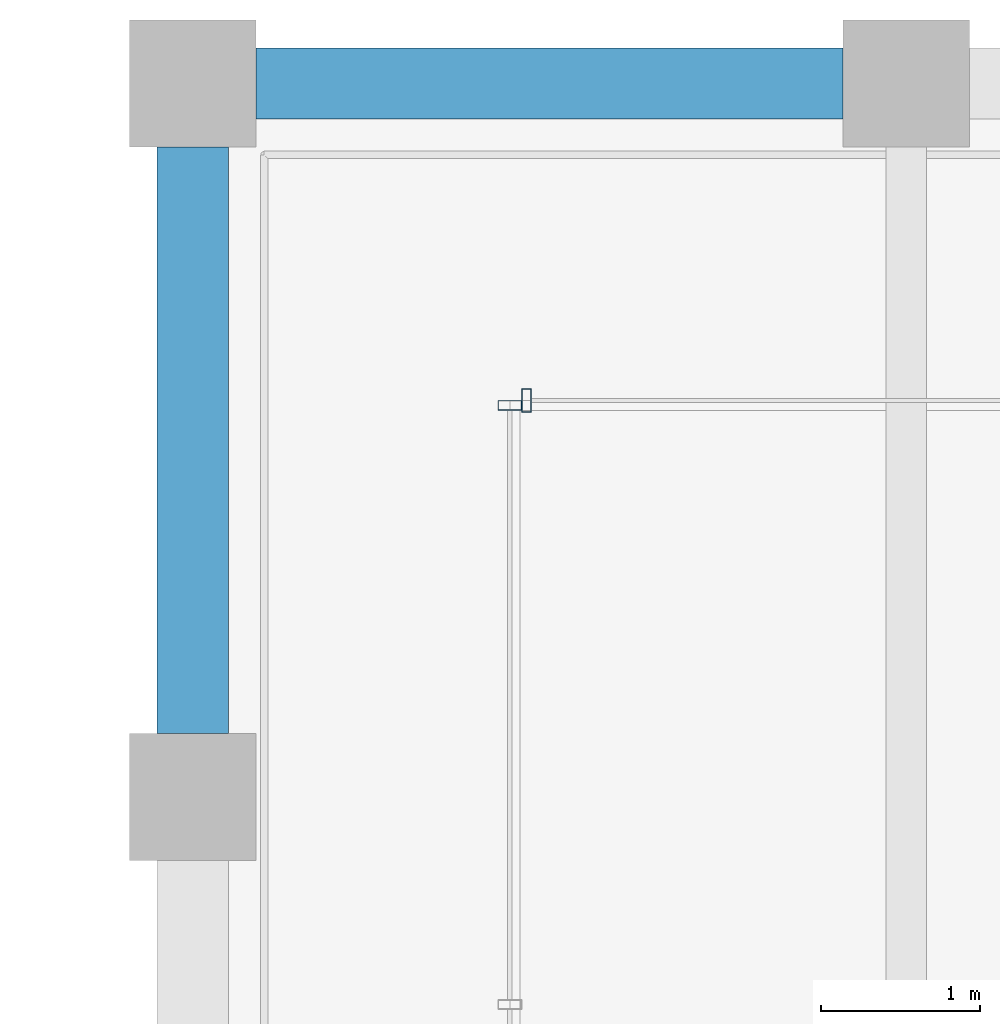
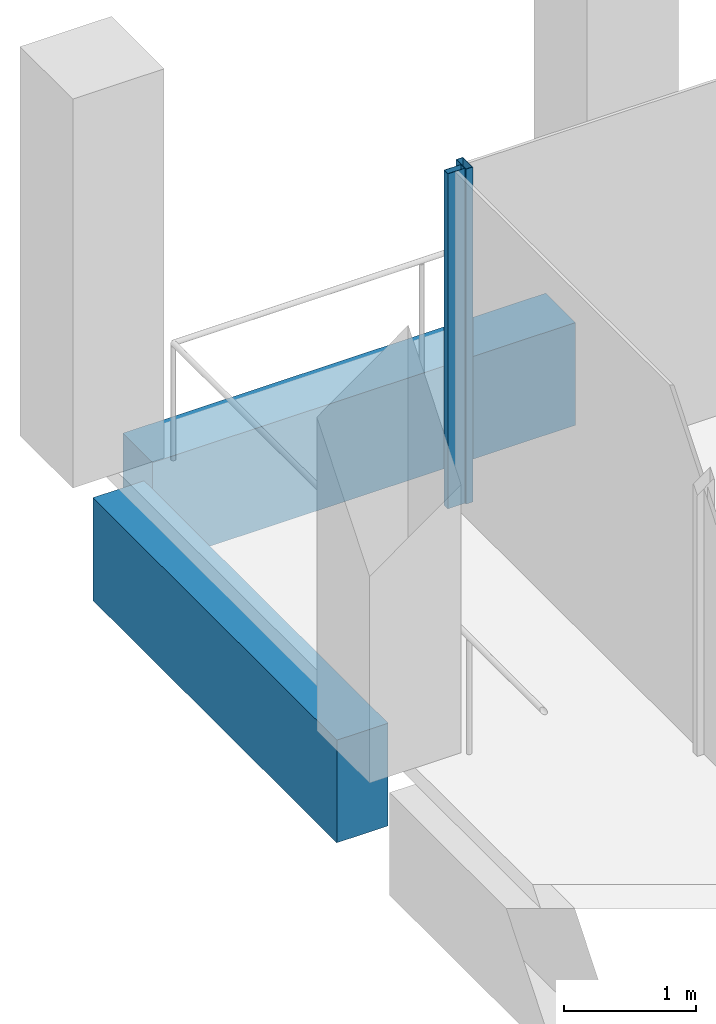
# One storey, part 21 of 40: 2 beams, 2 members, 2 elements without a shape of their own.
"""IFC4 building model written with IfcOpenShell, lengths in metres."""

from ifc_helpers import new_model, si_unit, direction, frame, origin, origin_2d, place, context, subcontext, project, spatial, rectangle, hollow_rectangle, extrude, material, material_profile, profile_set, type_object, element, aggregate, save


model = new_model("IFC4")

# Units and contexts
model_context = context("Model", 3, precision=1e-05, world=origin(), true_north=direction((0.0, 1.0)))
body_context = subcontext(model_context, "Body", "Model", "MODEL_VIEW")
ifc_project = project(units=[si_unit("LENGTHUNIT", "METRE"), si_unit("AREAUNIT", "SQUARE_METRE"), si_unit("VOLUMEUNIT", "CUBIC_METRE"), si_unit("PLANEANGLEUNIT", "RADIAN"), si_unit("MASSUNIT", "GRAM", prefix="KILO")], contexts=[model_context])

# Site, building, storey
site_placement = place(None, origin())
site = spatial("IfcSite", under=ifc_project, at=site_placement, CompositionType="ELEMENT")
building_placement = place(site_placement, origin())
building = spatial("IfcBuilding", under=site, at=building_placement, Name="Altepetl Exchange Towers", CompositionType="ELEMENT")
storey_placement = place(building_placement, frame((0.0, 0.0, 199.199951171875)))
storey = spatial("IfcBuildingStorey", under=building, at=storey_placement, Name="L50", CompositionType="ELEMENT", Elevation=199.199951171875)

# Curtain wall, member
ifc_material_1 = material(Name="Aluminium 6063-T6 glazing", Category="aluminium")
curtain_wall_type = type_object("IfcCurtainWallType", Name="Loggia glazing system", PredefinedType="NOTDEFINED", material=ifc_material_1)
curtain_wall_1_placement = place(storey_placement, origin())
curtain_wall_1 = element("IfcCurtainWall", 1, at=curtain_wall_1_placement, inside=storey, type_object=curtain_wall_type, Name="CW1 run", PredefinedType="NOTDEFINED")
ifc_material_2 = material(Name="Aluminium 6063-T6", Category="aluminium")
ifc_material_profile_1 = material_profile(ifc_material_2, hollow_rectangle(XDim=0.06005859375, YDim=0.14990234375, WallThickness=0.0029296875, at=origin_2d()), Name="Mullion 60x150 aluminium")
ifc_profile_set_1 = profile_set([ifc_material_profile_1], Name="Aluminium 6063-T6")
member_type = type_object("IfcMemberType", Name="Mullion 60x150 aluminium", PredefinedType="MULLION", material=ifc_profile_set_1)
member_1_placement = place(storey_placement, frame((42.60498046875, 70.0, 0.0), z_axis=(0.0, 0.0, 1.0), x_axis=(-1.0, 0.0, 0.0)))
member_1 = element("IfcMember", 2, at=member_1_placement, type_object=member_type, Name="MU1 mullion", PredefinedType="MULLION", context=body_context, shape_type="SweptSolid", body=[
    extrude(hollow_rectangle(XDim=0.06005859375, YDim=0.14990234375, WallThickness=0.0029296875, at=origin_2d()), origin(), (0.0, 0.0, 1.0), 3.10009765625),
])
aggregate(curtain_wall_1, [member_1])

curtain_wall_2_placement = place(storey_placement, origin())
curtain_wall_2 = element("IfcCurtainWall", 3, at=curtain_wall_2_placement, inside=storey, type_object=curtain_wall_type, Name="CW1 run", PredefinedType="NOTDEFINED")
member_2_placement = place(storey_placement, frame((42.5, 69.969970703125, 0.0), z_axis=(0.0, 0.0, 1.0), x_axis=(0.0, -1.0, 0.0)))
member_2 = element("IfcMember", 4, at=member_2_placement, type_object=member_type, Name="MU1 mullion", PredefinedType="MULLION", context=body_context, shape_type="SweptSolid", body=[
    extrude(hollow_rectangle(XDim=0.06005859375, YDim=0.14990234375, WallThickness=0.0029296875, at=origin_2d()), origin(), (0.0, 0.0, 1.0), 3.10009765625),
])
aggregate(curtain_wall_2, [member_2])

# Beams
ifc_material_3 = material(Name="Concrete C50/60 precast with cantera rosa facing", Category="concrete")
ifc_material_profile_2 = material_profile(ifc_material_3, rectangle(XDim=0.449951171875, YDim=0.949951171875, at=origin_2d()), Name="450 x 950")
ifc_profile_set_2 = profile_set([ifc_material_profile_2], Name="Concrete C50/60 precast with cantera rosa facing")
beam_type_1 = type_object("IfcBeamType", Name="Spandrel beam 450x950 cantera rosa", PredefinedType="SPANDREL", material=ifc_profile_set_2)
beam_1_placement = place(storey_placement, frame((44.60009765625, 72.0, -0.625), z_axis=(-1.0, 0.0, 0.0), x_axis=(0.0, -1.0, 0.0)))
element("IfcBeam", 5, at=beam_1_placement, inside=storey, type_object=beam_type_1, Name="sp:A:L50:029", PredefinedType="SPANDREL", context=body_context, shape_type="SweptSolid", body=[
    extrude(rectangle(XDim=0.449951171875, YDim=0.949951171875, at=origin_2d()), origin(), (0.0, 0.0, 1.0), 3.7001953125),
])
ifc_material_4 = material(Name="Concrete C50/60 precast with tezontle facing", Category="concrete")
ifc_material_profile_3 = material_profile(ifc_material_4, rectangle(XDim=0.449951171875, YDim=0.949951171875, at=origin_2d()), Name="450 x 950")
ifc_profile_set_3 = profile_set([ifc_material_profile_3], Name="Concrete C50/60 precast with tezontle facing")
beam_type_2 = type_object("IfcBeamType", Name="Spandrel beam 450x950 tezontle", PredefinedType="SPANDREL", material=ifc_profile_set_3)
beam_2_placement = place(storey_placement, frame((40.5, 71.60009765625, -0.625), z_axis=(0.0, -1.0, 0.0), x_axis=(1.0, 0.0, 0.0)))
element("IfcBeam", 6, at=beam_2_placement, inside=storey, type_object=beam_type_2, Name="sp:A:L50:030", PredefinedType="SPANDREL", context=body_context, shape_type="SweptSolid", body=[
    extrude(rectangle(XDim=0.449951171875, YDim=0.949951171875, at=origin_2d()), origin(), (0.0, 0.0, 1.0), 3.7001953125),
])

save(model, "model.ifc")
